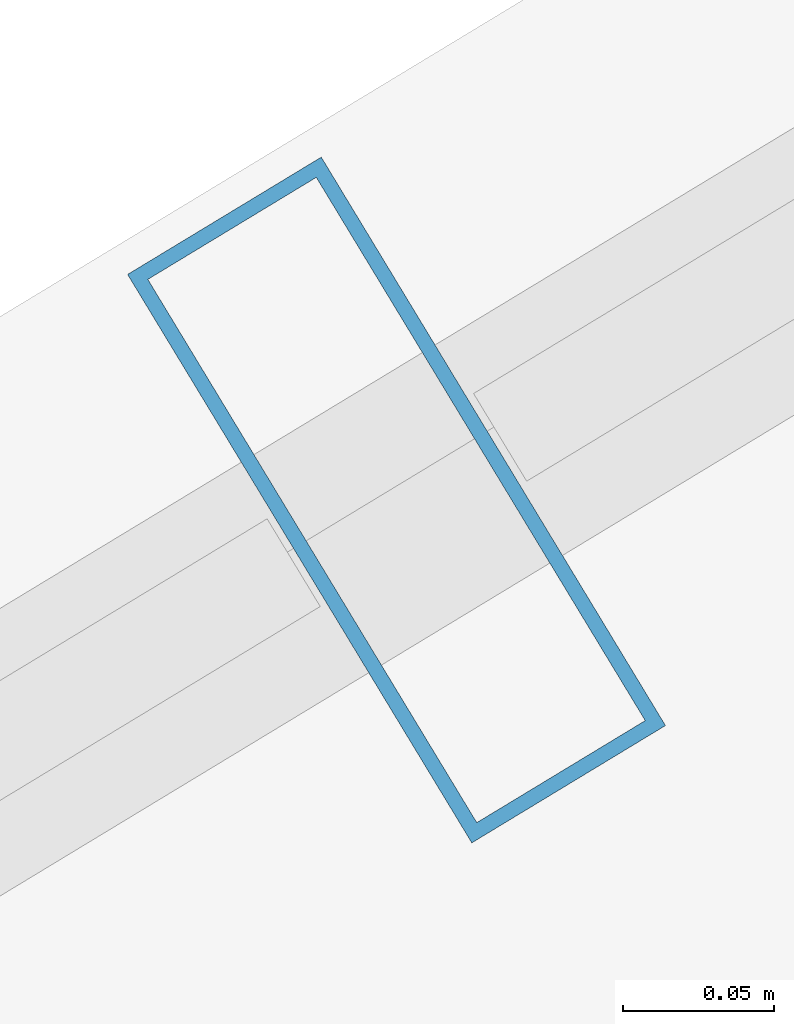
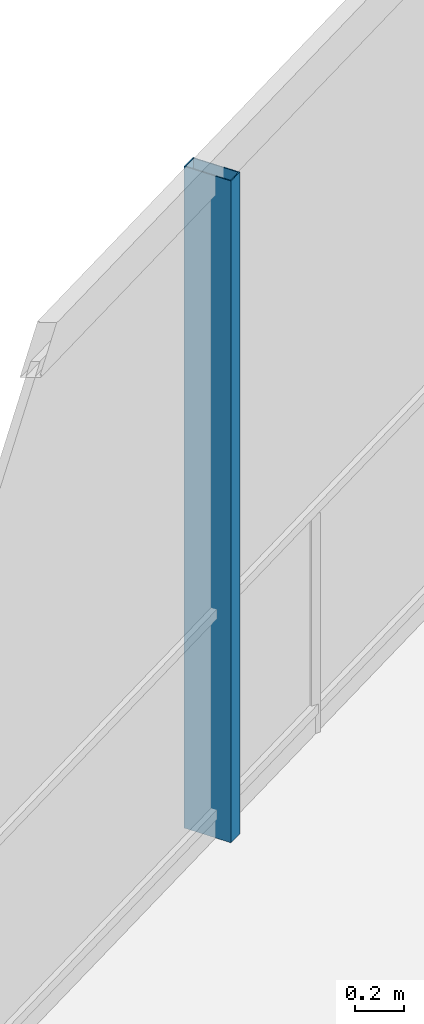
# One storey, part 10 of 19: 1 member, 1 element without a shape of its own.
"""IFC4 building model written with IfcOpenShell, lengths in metres."""

from ifc_helpers import new_model, si_unit, direction, frame, origin, origin_2d, place, context, subcontext, project, spatial, hollow_rectangle, extrude, material, layer, layer_set, material_profile, profile_set, type_object, element, aggregate, save


model = new_model("IFC4")

# Units and contexts
model_context = context("Model", 3, precision=1e-05, world=origin(), true_north=direction((0.0, 1.0)))
body_context = subcontext(model_context, "Body", "Model", "MODEL_VIEW")
ifc_project = project(units=[si_unit("LENGTHUNIT", "METRE"), si_unit("AREAUNIT", "SQUARE_METRE"), si_unit("VOLUMEUNIT", "CUBIC_METRE"), si_unit("PLANEANGLEUNIT", "RADIAN"), si_unit("MASSUNIT", "GRAM", prefix="KILO")], contexts=[model_context])

# Site, building, storey
site_placement = place(None, origin())
site = spatial("IfcSite", under=ifc_project, at=site_placement, CompositionType="ELEMENT")
building_placement = place(site_placement, origin())
building = spatial("IfcBuilding", under=site, at=building_placement, Name="Qarnah Convention Tower", CompositionType="ELEMENT")
storey_placement = place(building_placement, frame((0.0, 0.0, 184.199951171875)))
storey = spatial("IfcBuildingStorey", under=building, at=storey_placement, Name="L49", CompositionType="ELEMENT", Elevation=184.199951171875)

# Curtain wall, member
ifc_material_1 = material(Name="Tempered Low-E dark glass", Category="glass")
ifc_layer = layer(ifc_material_1, 0.174072265625)
ifc_layer_set = layer_set([ifc_layer], Name="Tempered Low-E dark glass")
curtain_wall_type = type_object("IfcCurtainWallType", Name="CWS-04", PredefinedType="NOTDEFINED", material=ifc_layer_set)
curtain_wall_placement = place(storey_placement, origin())
curtain_wall = element("IfcCurtainWall", 1, at=curtain_wall_placement, inside=storey, type_object=curtain_wall_type, Name="L49 unitised curtain wall CW-L49-F2", PredefinedType="NOTDEFINED")
ifc_material_2 = material(Name="Black anodised aluminium", Category="aluminium")
ifc_material_profile = material_profile(ifc_material_2, hollow_rectangle(XDim=0.074951171875, YDim=0.219970703125, WallThickness=0.0048828125, at=origin_2d()), Name="MUL-75X220")
ifc_profile_set = profile_set([ifc_material_profile], Name="Black anodised aluminium")
member_type = type_object("IfcMemberType", Name="MUL-T4", PredefinedType="MULLION", material=ifc_profile_set)
member_placement = place(storey_placement, frame((26.44970703125, 38.65380859375, 0.0), z_axis=(0.0, 0.0, 1.0), x_axis=(0.855384204583, 0.517994075786, 0.0)))
member = element("IfcMember", 2, at=member_placement, type_object=member_type, Name="CW-L49-F2 mullion 3", PredefinedType="MULLION", context=body_context, shape_type="SweptSolid", body=[
    extrude(hollow_rectangle(XDim=0.074951171875, YDim=0.219970703125, WallThickness=0.0048828125, at=origin_2d()), origin(), (0.0, 0.0, 1.0), 3.320068359375),
])
aggregate(curtain_wall, [member])

save(model, "model.ifc")
